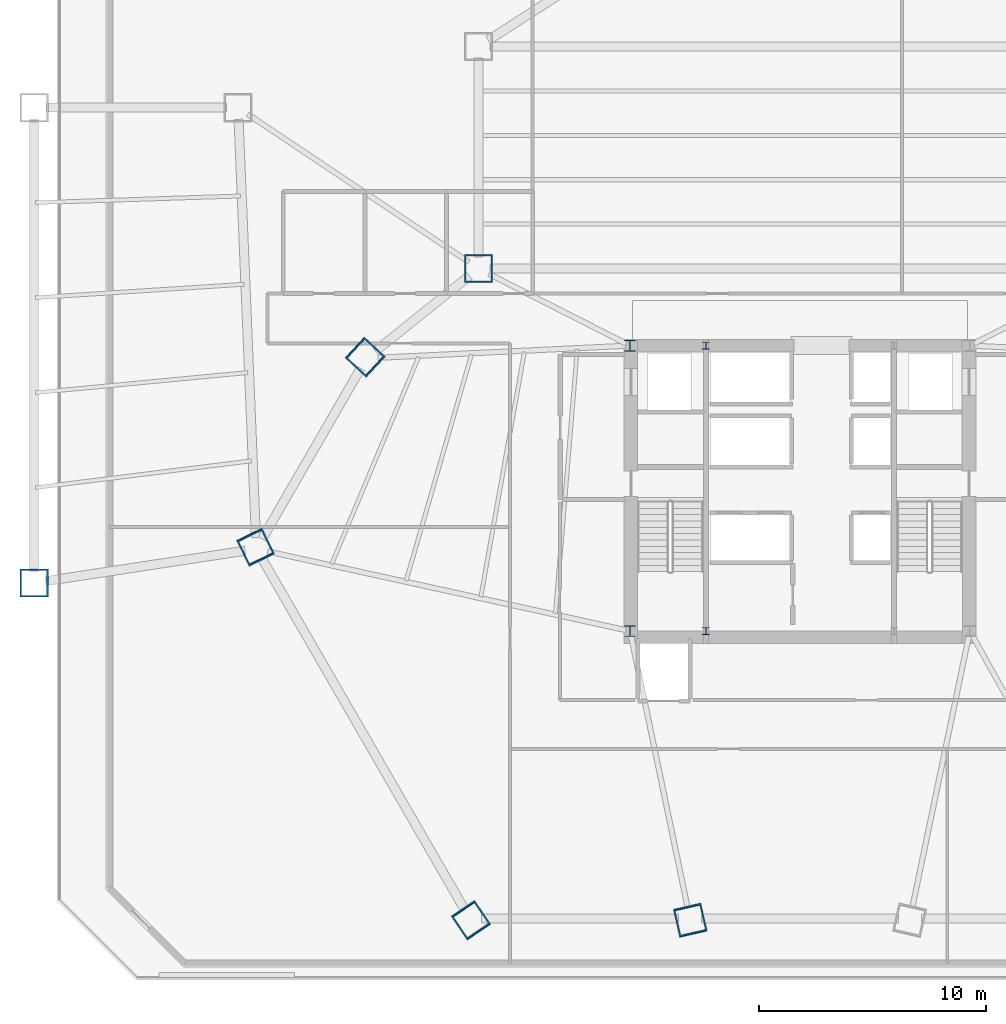
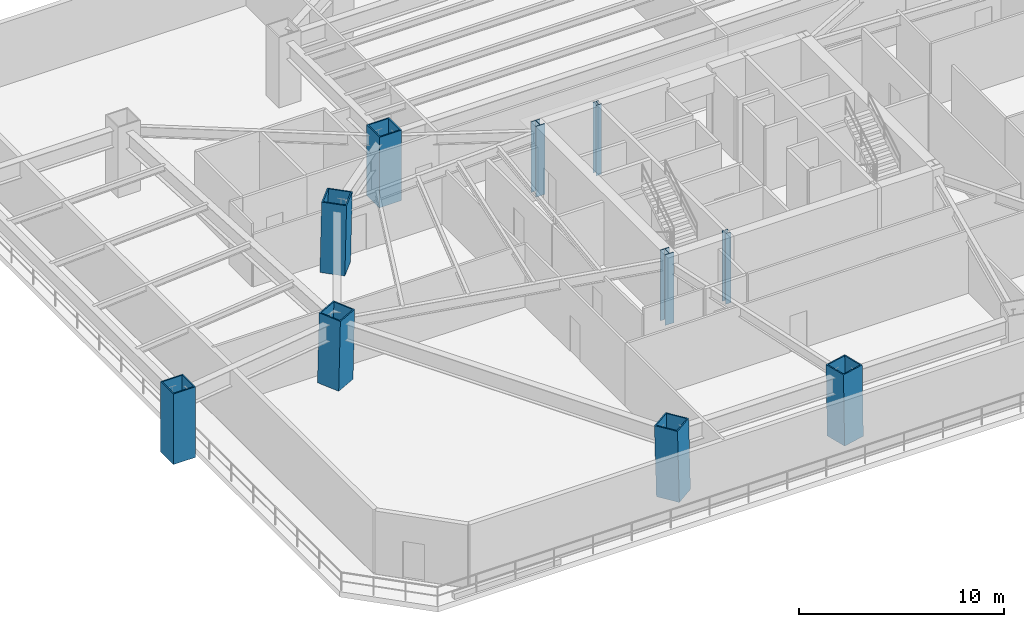
# One storey, part 1 of 12: 10 columns.
"""IFC4 building model written with IfcOpenShell, lengths in metres."""

from ifc_helpers import new_model, si_unit, direction, frame, origin, origin_2d, place, context, subcontext, project, spatial, hollow_rectangle, i_section, extrude, source, transform, mapped, material, material_profile, profile_set, type_object, type_shapes, element, save


model = new_model("IFC4")

# Units and contexts
model_context = context("Model", 3, precision=1e-05, world=origin(), true_north=direction((0.0, 1.0)))
body_context = subcontext(model_context, "Body", "Model", "MODEL_VIEW")
ifc_project = project(units=[si_unit("LENGTHUNIT", "METRE"), si_unit("AREAUNIT", "SQUARE_METRE"), si_unit("VOLUMEUNIT", "CUBIC_METRE"), si_unit("PLANEANGLEUNIT", "RADIAN"), si_unit("MASSUNIT", "GRAM", prefix="KILO")], contexts=[model_context])

# Site, building, storey
site_placement = place(None, origin())
site = spatial("IfcSite", under=ifc_project, at=site_placement, CompositionType="ELEMENT")
building_placement = place(site_placement, origin())
building = spatial("IfcBuilding", under=site, at=building_placement, Name="Caelisora Broadcast Tower", CompositionType="ELEMENT")
storey_placement = place(building_placement, frame((0.0, 0.0, 18.89990234375)))
storey = spatial("IfcBuildingStorey", under=building, at=storey_placement, Name="L04", CompositionType="ELEMENT", Elevation=18.89990234375)

# Columns
ifc_material_1 = material(Name="Steel Grade 350 L15 (AS/NZS 3678)", Category="steel")
ifc_material_profile_1 = material_profile(ifc_material_1, hollow_rectangle(XDim=1.25, YDim=1.25, WallThickness=0.070068359375, at=origin_2d()), Name="Steel Grade 350 L15 (AS/NZS 3678)")
ifc_profile_set_1 = profile_set([ifc_material_profile_1], Name="Steel Grade 350 L15 (AS/NZS 3678)")
column_type_1 = type_object("IfcColumnType", Name="MC02", PredefinedType="COLUMN", material=ifc_profile_set_1)
shared_shape_1 = source(origin(), body_context, "Body", "SweptSolid", [
    extrude(hollow_rectangle(XDim=1.25, YDim=1.25, WallThickness=0.070068359375, at=origin_2d()), origin(), (0.0, 0.0, 1.0), 4.201171875),
])
for number, where, z_axis, x_axis, name in (
    (1, (18.803955078125, 29.49609375, 0.0), (0.014877190058, -0.013831137632, 0.999793663136), (0.680889907137, 0.732385782467, 0.0), "L04 column MC02"),
    (2, (33.16162109375, 4.627685546875, 0.0), (-0.00453289243, 0.019816875879, 0.999793350806), (-0.97482300973, -0.222980043281, 0.0), "L04 column MC02"),
):
    element("IfcColumn", number, at=place(storey_placement, frame(where, z_axis=z_axis, x_axis=x_axis)), inside=storey, type_object=column_type_1, Name=name, PredefinedType="COLUMN", context=body_context, shape_type="MappedRepresentation", body=[
        mapped(shared_shape_1, transform((0.0, 0.0, 0.0), scale=1.0)),
    ])
ifc_material_2 = material(Name="Steel Grade 350 (AS/NZS 3679.2)", Category="steel")
ifc_material_profile_2 = material_profile(ifc_material_2, i_section(OverallWidth=0.5, OverallDepth=0.5, WebThickness=0.028076171875, FlangeThickness=0.0400390625, at=origin_2d()), Name="Steel Grade 350 (AS/NZS 3679.2)")
ifc_profile_set_2 = profile_set([ifc_material_profile_2], Name="Steel Grade 350 (AS/NZS 3679.2)")
column_type_2 = type_object("IfcColumnType", Name="CC01", PredefinedType="COLUMN", material=ifc_profile_set_2)
shared_shape_2 = source(origin(), body_context, "Body", "SweptSolid", [
    extrude(i_section(OverallWidth=0.5, OverallDepth=0.5, WebThickness=0.028076171875, FlangeThickness=0.0400390625, at=origin_2d()), origin(), (0.0, 0.0, 1.0), 4.2001953125),
])
type_shapes(column_type_2, [shared_shape_2])
for number, where, z_axis, x_axis, name in (
    (3, (30.5, 17.39990234375, 0.0), (0.0, 0.0, 1.0), (1.0, 0.0, 0.0), "L04 column CC01"),
    (4, (30.5, 30.0, 0.0), (0.0, 0.0, 1.0), (1.0, 0.0, 0.0), "L04 column CC01"),
):
    element("IfcColumn", number, at=place(storey_placement, frame(where, z_axis=z_axis, x_axis=x_axis)), inside=storey, type_object=column_type_2, Name=name, PredefinedType="COLUMN", context=body_context, shape_type="MappedRepresentation", body=[
        mapped(shared_shape_2, transform((0.0, 0.0, 0.0), scale=1.0)),
    ])
ifc_material_3 = material(Name="Steel Grade 350 (AS/NZS 3679.1)", Category="steel")
ifc_material_profile_3 = material_profile(ifc_material_3, i_section(OverallWidth=0.306884765625, OverallDepth=0.314697265625, WebThickness=0.011962890625, FlangeThickness=0.018798828125, at=origin_2d()), Name="Steel Grade 350 (AS/NZS 3679.1)")
ifc_profile_set_3 = profile_set([ifc_material_profile_3], Name="Steel Grade 350 (AS/NZS 3679.1)")
column_type_3 = type_object("IfcColumnType", Name="CC04", PredefinedType="COLUMN", material=ifc_profile_set_3)
shared_shape_3 = source(origin(), body_context, "Body", "SweptSolid", [
    extrude(i_section(OverallWidth=0.306884765625, OverallDepth=0.314697265625, WebThickness=0.011962890625, FlangeThickness=0.018798828125, at=origin_2d()), origin(), (0.0, 0.0, 1.0), 4.2001953125),
])
type_shapes(column_type_3, [shared_shape_3])
for number, where, z_axis, x_axis, name in (
    (5, (33.85009765625, 17.39990234375, 0.0), (0.0, 0.0, 1.0), (1.0, 0.0, 0.0), "L04 column CC04"),
    (6, (33.85009765625, 30.0, 0.0), (0.0, 0.0, 1.0), (1.0, 0.0, 0.0), "L04 column CC04"),
):
    element("IfcColumn", number, at=place(storey_placement, frame(where, z_axis=z_axis, x_axis=x_axis)), inside=storey, type_object=column_type_3, Name=name, PredefinedType="COLUMN", context=body_context, shape_type="MappedRepresentation", body=[
        mapped(shared_shape_3, transform((0.0, 0.0, 0.0), scale=1.0)),
    ])
shared_shape_4 = source(origin(), body_context, "Body", "SweptSolid", [
    extrude(hollow_rectangle(XDim=1.25, YDim=1.25, WallThickness=0.070068359375, at=origin_2d()), origin(), (0.0, 0.0, 1.0), 4.201416015625),
])
for number, where, z_axis, x_axis, name in (
    (7, (13.96533203125, 21.115478515625, 0.0), (0.010459692038, -0.021500478079, 0.999714121279), (0.899235088746, 0.437465718849, 0.0), "L04 column MC02"),
    (8, (23.484619140625, 4.627685546875, 0.0), (-0.013423263699, 0.019815294031, 0.999713544029), (-0.827918690488, -0.56084814517, 0.0), "L04 column MC02"),
):
    element("IfcColumn", number, at=place(storey_placement, frame(where, z_axis=z_axis, x_axis=x_axis)), inside=storey, type_object=column_type_1, Name=name, PredefinedType="COLUMN", context=body_context, shape_type="MappedRepresentation", body=[
        mapped(shared_shape_4, transform((0.0, 0.0, 0.0), scale=1.0)),
    ])
shared_shape_5 = source(origin(), body_context, "Body", "SweptSolid", [
    extrude(hollow_rectangle(XDim=1.25, YDim=1.25, WallThickness=0.070068359375, at=origin_2d()), origin(), (0.0, 0.0, 1.0), 4.2001953125),
])
type_shapes(column_type_1, [shared_shape_1, shared_shape_4, shared_shape_5])
for number, where, z_axis, x_axis, name in (
    (9, (23.81103515625, 33.39990234375, 0.0), (0.0, 0.0, 1.0), (1.0, 0.0, 0.0), "L04 column MC02"),
    (10, (4.199951171875, 19.52587890625, 0.0), (0.0, 0.0, 1.0), (1.0, 0.0, 0.0), "L04 column MC02"),
):
    element("IfcColumn", number, at=place(storey_placement, frame(where, z_axis=z_axis, x_axis=x_axis)), inside=storey, type_object=column_type_1, Name=name, PredefinedType="COLUMN", context=body_context, shape_type="MappedRepresentation", body=[
        mapped(shared_shape_5, transform((0.0, 0.0, 0.0), scale=1.0)),
    ])

save(model, "model.ifc")
